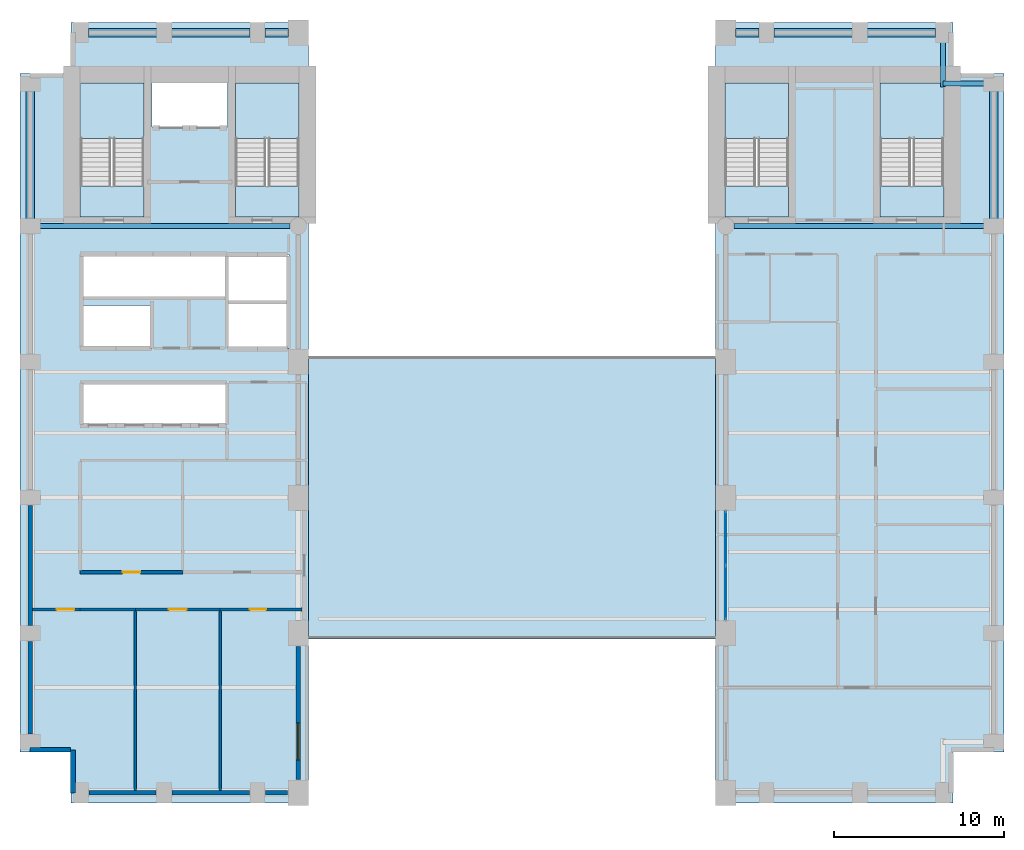
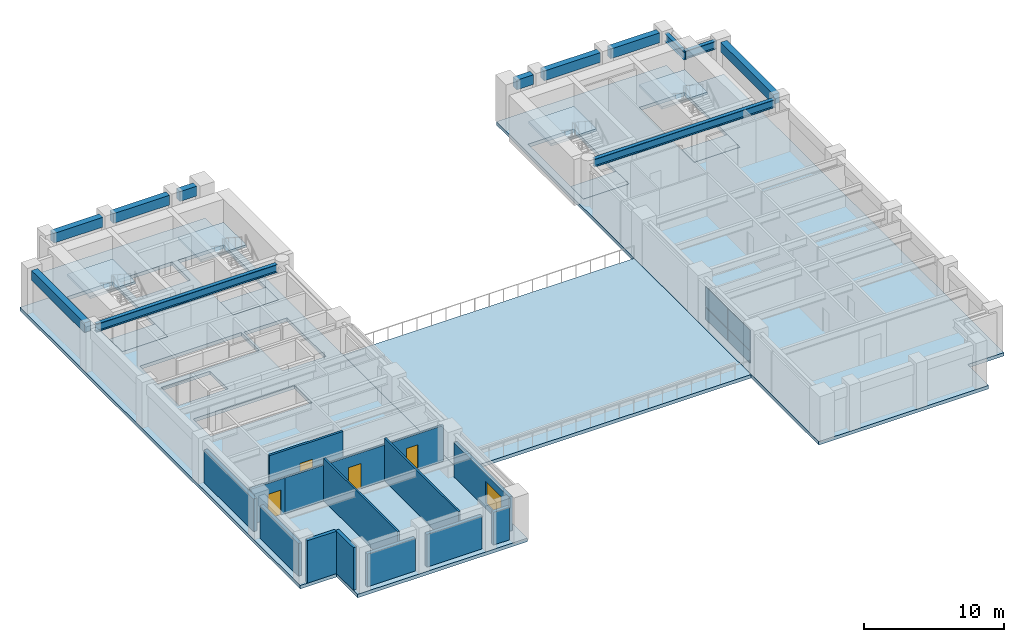
# One storey, part 3 of 10: 15 walls, 12 beams, 11 slabs, 4 doors, 4 plates, 1 window, 5 openings, 5 elements without a shape of their own.
"""IFC4 building model written with IfcOpenShell, lengths in metres."""

import ifcopenshell
import ifcopenshell.guid

model = None  # the IFC model being written
_history = None  # IfcOwnerHistory: only IFC2X3 demands one
_inside = {}  # id of a spatial element -> (the spatial element, [elements in it])
_under = {}  # id of a project, library or spatial element -> (it, [spatial elements below it])
_declared = {}  # id of a project -> (the project, [libraries it declares])
_typed = {}  # id of a type object -> (the type object, [elements of that type])
_made_of = {}  # id of a material, layer set ... -> (it, [elements and type objects made of it])


def new_model(schema):
    """Start an empty IFC model of exactly this schema.

    Asked for "IFC4X3", IfcOpenShell would pick the latest addendum, in which some entities
    have other attributes; the version numbers below select the first issue.
    IFC2X3 requires an IfcOwnerHistory on every rooted entity: one is made here for all.
    """
    global model, _history
    if schema == "IFC4X3":
        model = ifcopenshell.file(schema_version=(4, 3, 0, 0))
    else:
        model = ifcopenshell.file(schema=schema)
    _inside.clear()
    _under.clear()
    _declared.clear()
    _typed.clear()
    _made_of.clear()
    _history = None
    if model.schema == "IFC2X3":
        org = make("IfcOrganization", Name="unknown")
        user = make(
            "IfcPersonAndOrganization",
            ThePerson=make("IfcPerson", FamilyName="unknown"),
            TheOrganization=org,
        )
        app = make(
            "IfcApplication",
            ApplicationDeveloper=org,
            Version="unknown",
            ApplicationFullName="unknown",
            ApplicationIdentifier="unknown",
        )
        _history = make(
            "IfcOwnerHistory",
            OwningUser=user,
            OwningApplication=app,
            ChangeAction="ADDED",
            CreationDate=0,
        )
    return model


def make(cls, **values):
    """One entity of the class cls with the attributes given. An attribute that is None is left unset."""
    return model.create_entity(
        cls, **{name: value for name, value in values.items() if value is not None}
    )


def rooted(cls, **values):
    """An entity with a GlobalId (a new one), such as an element, a storey or a relation."""
    return make(cls, GlobalId=ifcopenshell.guid.new(), OwnerHistory=_history, **values)


def si_unit(unit_type, name, prefix=None):
    """IfcSIUnit, for example si_unit("LENGTHUNIT", "METRE", prefix="MILLI")."""
    return make("IfcSIUnit", UnitType=unit_type, Prefix=prefix, Name=name)


def assignment(units):
    """IfcUnitAssignment: the units of a project."""
    return None if units is None else make("IfcUnitAssignment", Units=units)


def point(xyz):
    """IfcCartesianPoint."""
    return None if xyz is None else make("IfcCartesianPoint", Coordinates=xyz)


def direction(xyz):
    """IfcDirection."""
    return None if xyz is None else make("IfcDirection", DirectionRatios=xyz)


def frame(location, z_axis=None, x_axis=None):
    """IfcAxis2Placement3D, a coordinate frame: its origin and axes. An axis left out is left unset."""
    return make(
        "IfcAxis2Placement3D",
        Location=point(location),
        Axis=direction(z_axis),
        RefDirection=direction(x_axis),
    )


def frame_2d(location, x_axis=None):
    """IfcAxis2Placement2D, a coordinate frame in the plane: its origin and x axis."""
    return make(
        "IfcAxis2Placement2D", Location=point(location), RefDirection=direction(x_axis)
    )


def origin():
    """The frame at (0, 0, 0) with its axes left unset."""
    return frame((0.0, 0.0, 0.0))


def origin_2d():
    """The frame at (0, 0) in the plane with its x axis left unset."""
    return frame_2d((0.0, 0.0))


def place(relative_to, where):
    """IfcLocalPlacement: puts the frame where relative to a parent placement (None: the world)."""
    return make(
        "IfcLocalPlacement", PlacementRelTo=relative_to, RelativePlacement=where
    )


def context(
    kind, dimensions, precision=None, world=None, true_north=None, identifier=None
):
    """IfcGeometricRepresentationContext, for example the 3D "Model" context."""
    return make(
        "IfcGeometricRepresentationContext",
        ContextIdentifier=identifier,
        ContextType=kind,
        CoordinateSpaceDimension=dimensions,
        Precision=precision,
        WorldCoordinateSystem=world,
        TrueNorth=true_north,
    )


def subcontext(parent, identifier, kind, view, scale=None):
    """IfcGeometricRepresentationSubContext, for example "Body" below "Model"."""
    return make(
        "IfcGeometricRepresentationSubContext",
        ContextIdentifier=identifier,
        ContextType=kind,
        ParentContext=parent,
        TargetScale=scale,
        TargetView=view,
    )


def project(units=None, contexts=None):
    """IfcProject with its units and contexts."""
    return rooted(
        "IfcProject",
        Name="project",
        RepresentationContexts=contexts,
        UnitsInContext=assignment(units),
    )


def spatial(cls, under=None, at=None, **own):
    """A site, building, storey or space (cls), placed at a placement, below another one or the project."""
    s = rooted(cls, ObjectPlacement=at, **own)
    if under is not None:
        _under.setdefault(under.id(), (under, []))[1].append(s)
    return s


def polyline(points):
    """IfcPolyline through the points."""
    return make("IfcPolyline", Points=[point(p) for p in points])


def profile(cls, at=None, kind="AREA", **sizes):
    """A parametric profile (cls). Its sizes go by their IFC names, for example OverallWidth=200.0."""
    return make(cls, ProfileType=kind, Position=at, **sizes)


def rectangle(**sizes):
    """IfcRectangleProfileDef."""
    return profile("IfcRectangleProfileDef", **sizes)


def i_section(**sizes):
    """IfcIShapeProfileDef."""
    return profile("IfcIShapeProfileDef", **sizes)


def outline(outer, holes=None, kind="AREA"):
    """IfcArbitraryClosedProfileDef: a profile drawn as a closed curve; with holes, ...WithVoids."""
    if holes is None:
        return make("IfcArbitraryClosedProfileDef", ProfileType=kind, OuterCurve=outer)
    return make(
        "IfcArbitraryProfileDefWithVoids",
        ProfileType=kind,
        OuterCurve=outer,
        InnerCurves=holes,
    )


def extrude(swept, where, along, depth):
    """IfcExtrudedAreaSolid: the profile swept, set in the frame where, extruded along a direction by depth."""
    return make(
        "IfcExtrudedAreaSolid",
        SweptArea=swept,
        Position=where,
        ExtrudedDirection=direction(along),
        Depth=depth,
    )


def shape(context_of_items, identifier, shape_type, items):
    """IfcShapeRepresentation: the items that make up one representation, for example the "Body"."""
    return make(
        "IfcShapeRepresentation",
        ContextOfItems=context_of_items,
        RepresentationIdentifier=identifier,
        RepresentationType=shape_type,
        Items=items,
    )


def material(Name=None, Category=None):
    """IfcMaterial."""
    return make("IfcMaterial", Name=Name, Category=Category)


def layer(
    of_material, thickness, ventilated=None, Name=None, Category=None, Priority=None
):
    """IfcMaterialLayer: one layer of a wall or slab, of a material (None: an air gap)."""
    return make(
        "IfcMaterialLayer",
        Material=of_material,
        LayerThickness=thickness,
        IsVentilated=ventilated,
        Name=Name,
        Category=Category,
        Priority=Priority,
    )


def layer_set(layers, Name=None):
    """IfcMaterialLayerSet."""
    return make("IfcMaterialLayerSet", MaterialLayers=layers, LayerSetName=Name)


def material_profile(
    of_material, cross_section, Name=None, Category=None, Priority=None
):
    """IfcMaterialProfile: a cross section and its material."""
    return make(
        "IfcMaterialProfile",
        Name=Name,
        Material=of_material,
        Profile=cross_section,
        Priority=Priority,
        Category=Category,
    )


def profile_set(profiles, Name=None, composite=None):
    """IfcMaterialProfileSet."""
    return make(
        "IfcMaterialProfileSet",
        Name=Name,
        MaterialProfiles=profiles,
        CompositeProfile=composite,
    )


def made_of(thing, what):
    """Note that an element or type object is made of a material, layer set ...; save() writes the relation."""
    if what is not None:
        _made_of.setdefault(what.id(), (what, []))[1].append(thing)
    return thing


def type_object(cls, material=None, **own):
    """A type object (cls), such as IfcWallType, which elements share."""
    return made_of(rooted(cls, **own), material)


def element(
    cls,
    number,
    at=None,
    inside=None,
    cuts=None,
    type_object=None,
    material=None,
    context=None,
    identifier="Body",
    shape_type=None,
    held_by="IfcProductDefinitionShape",
    body=None,
    shapes=None,
    **own,
):
    """One element of the class cls, such as IfcWall. Its Tag is "e" and its number.

    at: its placement. inside: the storey or other place that contains it. cuts: it is an
    opening in that element (IfcRelVoidsElement). A single representation is given by context,
    identifier, shape_type and body (its items); several are given by shapes. held_by: the class
    of the entity that holds the representations. save() writes the other relations.
    """
    e = rooted(cls, Tag="e%d" % number, ObjectPlacement=at, **own)
    if body is not None:
        shapes = [shape(context, identifier, shape_type, body)]
    if shapes is not None:
        e.Representation = make(held_by, Representations=shapes)
    if inside is not None:
        _inside.setdefault(inside.id(), (inside, []))[1].append(e)
    if cuts is not None:
        rooted(
            "IfcRelVoidsElement", RelatingBuildingElement=cuts, RelatedOpeningElement=e
        )
    if type_object is not None:
        _typed.setdefault(type_object.id(), (type_object, []))[1].append(e)
    return made_of(e, material)


def fill(opening, filler):
    """IfcRelFillsElement: the door or window that sits in an opening."""
    return rooted(
        "IfcRelFillsElement",
        RelatingOpeningElement=opening,
        RelatedBuildingElement=filler,
    )


def aggregate(whole, parts):
    """IfcRelAggregates: a whole, such as a stair, and the parts it consists of."""
    return rooted("IfcRelAggregates", RelatingObject=whole, RelatedObjects=parts)


def save(model, path):
    """Write the relations noted so far, then the file.

    IfcRelAggregates (storeys below a building ...), IfcRelContainedInSpatialStructure (elements
    in a storey), IfcRelDefinesByType, IfcRelAssociatesMaterial and IfcRelDeclares: one each for
    every whole, place, type object, material and project.
    """
    for whole, parts in _under.values():
        aggregate(whole, parts)
    for where, things in _inside.values():
        rooted(
            "IfcRelContainedInSpatialStructure",
            RelatedElements=things,
            RelatingStructure=where,
        )
    for kind, things in _typed.values():
        rooted("IfcRelDefinesByType", RelatedObjects=things, RelatingType=kind)
    for what, things in _made_of.values():
        rooted("IfcRelAssociatesMaterial", RelatedObjects=things, RelatingMaterial=what)
    for by, libraries in _declared.values():
        rooted("IfcRelDeclares", RelatingContext=by, RelatedDefinitions=libraries)
    model.write(path)


model = new_model("IFC4")

# Units and contexts
model_context = context("Model", 3, precision=1e-05, world=origin(), true_north=direction((0.0, 1.0)))
body_context = subcontext(model_context, "Body", "Model", "MODEL_VIEW")
ifc_project = project(units=[si_unit("LENGTHUNIT", "METRE"), si_unit("AREAUNIT", "SQUARE_METRE"), si_unit("VOLUMEUNIT", "CUBIC_METRE"), si_unit("PLANEANGLEUNIT", "RADIAN"), si_unit("MASSUNIT", "GRAM", prefix="KILO")], contexts=[model_context])

# Site, building, storey
site_placement = place(None, origin())
site = spatial("IfcSite", under=ifc_project, at=site_placement, CompositionType="ELEMENT")
building_placement = place(site_placement, origin())
building = spatial("IfcBuilding", under=site, at=building_placement, Name="Sulina Concourse Tower", CompositionType="ELEMENT")
storey_placement = place(building_placement, frame((0.0, 0.0, 30.60009765625)))
storey = spatial("IfcBuildingStorey", under=building, at=storey_placement, Name="L07", CompositionType="ELEMENT", Elevation=30.60009765625)

# Beams
ifc_material_1 = material(Name="Steel S355", Category="steel")
ifc_material_profile_1 = material_profile(ifc_material_1, i_section(OverallWidth=0.300048828125, OverallDepth=0.699951171875, WebThickness=0.01708984375, FlangeThickness=0.031982421875, at=origin_2d()), Name="HE 700 B")
ifc_profile_set_1 = profile_set([ifc_material_profile_1], Name="Steel S355")
beam_type_1 = type_object("IfcBeamType", Name="Floor Primary Girder Zone 1 HE700B", PredefinedType="BEAM", material=ifc_profile_set_1)
beam_1_placement = place(storey_placement, frame((54.39990234375, 42.39990234375, 3.349853515625), z_axis=(1.0, 0.0, 0.0), x_axis=(0.0, 1.0, 0.0)))
element("IfcBeam", 1, at=beam_1_placement, inside=storey, type_object=beam_type_1, Name="TIE-NE-L07", PredefinedType="BEAM", context=body_context, shape_type="SweptSolid", body=[
    extrude(i_section(OverallWidth=0.300048828125, OverallDepth=0.699951171875, WebThickness=0.01708984375, FlangeThickness=0.031982421875, at=origin_2d()), origin(), (0.0, 0.0, 1.0), 2.570068359375),
])
beam_2_placement = place(storey_placement, frame((54.39990234375, 42.199951171875, 3.349853515625), z_axis=(0.0, 1.0, 0.0), x_axis=(-1.0, 0.0, 0.0)))
element("IfcBeam", 2, at=beam_2_placement, inside=storey, type_object=beam_type_1, Name="TIE-NEN-L07", PredefinedType="BEAM", context=body_context, shape_type="SweptSolid", body=[
    extrude(i_section(OverallWidth=0.300048828125, OverallDepth=0.699951171875, WebThickness=0.01708984375, FlangeThickness=0.031982421875, at=origin_2d()), origin(), (0.0, 0.0, 1.0), 2.77001953125),
])
for number, where, z_axis, x_axis, name in (
    (3, (1.030029296875, 34.0, 3.349853515625), (1.0, 0.0, 0.0), (0.0, 1.0, 0.0), "FG-EWN1-L07"),
    (4, (42.080078125, 34.0, 3.349853515625), (1.0, 0.0, 0.0), (0.0, 1.0, 0.0), "FG-EWN3-L07"),
):
    element("IfcBeam", number, at=place(storey_placement, frame(where, z_axis=z_axis, x_axis=x_axis)), inside=storey, type_object=beam_type_1, Name=name, PredefinedType="BEAM", context=body_context, shape_type="SweptSolid", body=[
        extrude(i_section(OverallWidth=0.300048828125, OverallDepth=0.699951171875, WebThickness=0.01708984375, FlangeThickness=0.031982421875, at=origin_2d()), origin(), (0.0, 0.0, 1.0), 14.889892578125),
    ])
ifc_material_2 = material(Name="Precast concrete C50/60", Category="concrete")
ifc_material_profile_2 = material_profile(ifc_material_2, rectangle(XDim=0.5, YDim=0.85009765625, at=origin_2d()), Name="RC 500x850")
ifc_profile_set_2 = profile_set([ifc_material_profile_2], Name="Precast concrete C50/60")
beam_type_2 = type_object("IfcBeamType", Name="Lower Precast Spandrel Edge Beam 500x850", PredefinedType="BEAM", material=ifc_profile_set_2)
beam_3_placement = place(storey_placement, frame((4.030029296875, 45.39990234375, 3.27490234375), z_axis=(1.0, 0.0, 0.0), x_axis=(0.0, 1.0, 0.0)))
element("IfcBeam", 5, at=beam_3_placement, inside=storey, type_object=beam_type_2, Name="SP-N1-L07", PredefinedType="BEAM", context=body_context, shape_type="SweptSolid", body=[
    extrude(rectangle(XDim=0.5, YDim=0.85009765625, at=origin_2d()), origin(), (0.0, 0.0, 1.0), 4.0400390625),
])
beam_4_placement = place(storey_placement, frame((8.929931640625, 45.39990234375, 3.27490234375), z_axis=(1.0, 0.0, 0.0), x_axis=(0.0, 1.0, 0.0)))
element("IfcBeam", 6, at=beam_4_placement, inside=storey, type_object=beam_type_2, Name="SP-N2-L07", PredefinedType="BEAM", context=body_context, shape_type="SweptSolid", body=[
    extrude(rectangle(XDim=0.5, YDim=0.85009765625, at=origin_2d()), origin(), (0.0, 0.0, 1.0), 4.64013671875),
])
for number, where, z_axis, x_axis, name in (
    (7, (14.429931640625, 45.39990234375, 3.27490234375), (1.0, 0.0, 0.0), (0.0, 1.0, 0.0), "SP-N3-L07"),
    (8, (42.179931640625, 45.39990234375, 3.27490234375), (1.0, 0.0, 0.0), (0.0, 1.0, 0.0), "SP-N5-L07"),
):
    element("IfcBeam", number, at=place(storey_placement, frame(where, z_axis=z_axis, x_axis=x_axis)), inside=storey, type_object=beam_type_2, Name=name, PredefinedType="BEAM", context=body_context, shape_type="SweptSolid", body=[
        extrude(rectangle(XDim=0.5, YDim=0.85009765625, at=origin_2d()), origin(), (0.0, 0.0, 1.0), 1.39013671875),
    ])
beam_5_placement = place(storey_placement, frame((44.429931640625, 45.39990234375, 3.27490234375), z_axis=(1.0, 0.0, 0.0), x_axis=(0.0, 1.0, 0.0)))
element("IfcBeam", 9, at=beam_5_placement, inside=storey, type_object=beam_type_2, Name="SP-N6-L07", PredefinedType="BEAM", context=body_context, shape_type="SweptSolid", body=[
    extrude(rectangle(XDim=0.5, YDim=0.85009765625, at=origin_2d()), origin(), (0.0, 0.0, 1.0), 4.64013671875),
])
beam_6_placement = place(storey_placement, frame((49.929931640625, 45.39990234375, 3.27490234375), z_axis=(1.0, 0.0, 0.0), x_axis=(0.0, 1.0, 0.0)))
element("IfcBeam", 10, at=beam_6_placement, inside=storey, type_object=beam_type_2, Name="SP-N7-L07", PredefinedType="BEAM", context=body_context, shape_type="SweptSolid", body=[
    extrude(rectangle(XDim=0.5, YDim=0.85009765625, at=origin_2d()), origin(), (0.0, 0.0, 1.0), 4.0400390625),
])
for number, where, z_axis, x_axis, name in (
    (11, (0.60009765625, 34.429931640625, 3.27490234375), (0.0, 1.0, 0.0), (-1.0, 0.0, 0.0), "SP-W5-L07"),
    (12, (57.39990234375, 34.429931640625, 3.27490234375), (0.0, 1.0, 0.0), (-1.0, 0.0, 0.0), "SP-E5-L07"),
):
    element("IfcBeam", number, at=place(storey_placement, frame(where, z_axis=z_axis, x_axis=x_axis)), inside=storey, type_object=beam_type_2, Name=name, PredefinedType="BEAM", context=body_context, shape_type="SweptSolid", body=[
        extrude(rectangle(XDim=0.5, YDim=0.85009765625, at=origin_2d()), origin(), (0.0, 0.0, 1.0), 7.5400390625),
    ])

# Slabs
ifc_material_3 = material(Name="Concrete C50/60", Category="concrete")
ifc_layer_1 = layer(ifc_material_3, 0.300048828125)
ifc_layer_set_1 = layer_set([ifc_layer_1], Name="Concrete C50/60")
slab_type_1 = type_object("IfcSlabType", Name="Low-Rise Composite Floor Slab 300mm", PredefinedType="FLOOR", material=ifc_layer_set_1)
slab_1_placement = place(storey_placement, frame((0.0, 0.0, -0.300048828125)))
element("IfcSlab", 13, at=slab_1_placement, inside=storey, type_object=slab_type_1, Name="L07 structural floor slab-P1", PredefinedType="FLOOR", context=body_context, shape_type="SweptSolid", body=[
    extrude(outline(polyline([(3.0, 0.0), (17.0, 0.0), (17.0, 46.0), (3.0, 46.0), (3.0, 43.0), (0.0, 43.0), (0.0, 3.0), (3.0, 3.0), (3.0, 0.0)]), holes=[polyline([(7.31005859375, 34.550048828125), (7.31005859375, 42.429931640625), (3.550048828125, 42.429931640625), (3.550048828125, 34.550048828125), (7.31005859375, 34.550048828125)]), polyline([(16.449951171875, 34.550048828125), (16.449951171875, 42.429931640625), (12.68994140625, 42.429931640625), (12.68994140625, 34.550048828125), (16.449951171875, 34.550048828125)]), polyline([(7.780029296875, 39.830078125), (12.219970703125, 39.830078125), (12.219970703125, 42.449951171875), (7.780029296875, 42.449951171875), (7.780029296875, 39.830078125)]), polyline([(3.739990234375, 26.780029296875), (7.77001953125, 26.780029296875), (7.77001953125, 29.320068359375), (3.739990234375, 29.320068359375), (3.739990234375, 26.780029296875)]), polyline([(3.739990234375, 29.780029296875), (12.10009765625, 29.780029296875), (12.10009765625, 32.3701171875), (3.739990234375, 32.3701171875), (3.739990234375, 29.780029296875)]), polyline([(3.739990234375, 22.280029296875), (12.10009765625, 22.280029296875), (12.10009765625, 24.77001953125), (3.739990234375, 24.77001953125), (3.739990234375, 22.280029296875)]), polyline([(12.280029296875, 26.780029296875), (15.85009765625, 26.780029296875), (15.85009765625, 32.320068359375), (12.280029296875, 32.320068359375), (12.280029296875, 26.780029296875)])]), origin(), (0.0, 0.0, 1.0), 0.300048828125),
])
slab_2_placement = place(storey_placement, frame((0.0, 0.0, -0.300048828125)))
element("IfcSlab", 14, at=slab_2_placement, inside=storey, type_object=slab_type_1, Name="L07 structural floor slab-P2", PredefinedType="FLOOR", context=body_context, shape_type="SweptSolid", body=[
    extrude(outline(polyline([(41.0, 0.0), (55.0, 0.0), (55.0, 3.0), (58.0, 3.0), (58.0, 43.0), (55.0, 43.0), (55.0, 46.0), (41.0, 46.0), (41.0, 0.0)]), holes=[polyline([(45.31005859375, 34.550048828125), (45.31005859375, 42.429931640625), (41.550048828125, 42.429931640625), (41.550048828125, 34.550048828125), (45.31005859375, 34.550048828125)]), polyline([(54.449951171875, 34.550048828125), (54.449951171875, 42.429931640625), (50.68994140625, 42.429931640625), (50.68994140625, 34.550048828125), (54.449951171875, 34.550048828125)])]), origin(), (0.0, 0.0, 1.0), 0.300048828125),
])
ifc_material_4 = material(Name="Precast concrete C50/60", Category="concrete")
ifc_layer_2 = layer(ifc_material_4, 0.300048828125)
ifc_layer_set_2 = layer_set([ifc_layer_2], Name="Precast concrete C50/60")
slab_type_2 = type_object("IfcSlabType", Name="Lower Portal Flush Planted Terrace Slab 300mm", PredefinedType="FLOOR", material=ifc_layer_set_2)
slab_3_placement = place(storey_placement, frame((0.0, 0.0, -0.300048828125)))
element("IfcSlab", 15, at=slab_3_placement, inside=storey, type_object=slab_type_2, Name="L07 outdoor terrace slab TER-LP2", PredefinedType="FLOOR", context=body_context, shape_type="SweptSolid", body=[
    extrude(outline(polyline([(17.0, 9.64990234375), (41.0, 9.64990234375), (41.0, 26.35009765625), (17.0, 26.35009765625), (17.0, 9.64990234375)])), origin(), (0.0, 0.0, 1.0), 0.300048828125),
])

# Curtain wall, plates
ifc_material_5 = material(Name="Anodised bronze aluminium", Category="aluminium")
ifc_layer_3 = layer(ifc_material_5, 0.219970703125)
ifc_layer_set_3 = layer_set([ifc_layer_3], Name="Anodised bronze aluminium")
curtain_wall_type = type_object("IfcCurtainWallType", Name="Lower Terraced Portal Curtain Wall System", PredefinedType="NOTDEFINED", material=ifc_layer_set_3)
curtain_wall_placement = place(storey_placement, origin())
curtain_wall = element("IfcCurtainWall", 16, at=curtain_wall_placement, inside=storey, type_object=curtain_wall_type, Name="L07 glazed curtain wall PE2", PredefinedType="NOTDEFINED")
ifc_material_6 = material(Name="Low-E solar portal glazing", Category="glass")
ifc_layer_4 = layer(ifc_material_6, 0.031982421875)
ifc_layer_set_4 = layer_set([ifc_layer_4], Name="Low-E solar portal glazing")
plate_type = type_object("IfcPlateType", Name="Lower Terraced Portal Curtain Wall System Glazed Panel 32mm", PredefinedType="CURTAIN_PANEL", material=ifc_layer_set_4)
plate_1_placement = place(storey_placement, frame((41.60009765625, 12.402587890625, 0.06982421875), z_axis=(0.0, 0.0, 1.0), x_axis=(0.0, 1.0, 0.0)))
plate_1 = element("IfcPlate", 17, at=plate_1_placement, type_object=plate_type, Name="CW-02 panel 1.1", PredefinedType="CURTAIN_PANEL", context=body_context, shape_type="SweptSolid", body=[
    extrude(rectangle(XDim=3.125, YDim=0.031982421875, at=origin_2d()), origin(), (0.0, 0.0, 1.0), 1.034912109375),
])
plate_2_placement = place(storey_placement, frame((41.60009765625, 12.402587890625, 1.175048828125), z_axis=(0.0, 0.0, 1.0), x_axis=(0.0, 1.0, 0.0)))
plate_2 = element("IfcPlate", 18, at=plate_2_placement, type_object=plate_type, Name="CW-02 panel 1.2", PredefinedType="CURTAIN_PANEL", context=body_context, shape_type="SweptSolid", body=[
    extrude(rectangle(XDim=3.125, YDim=0.031982421875, at=origin_2d()), origin(), (0.0, 0.0, 1.0), 1.7548828125),
])
plate_3_placement = place(storey_placement, frame((41.60009765625, 15.597412109375, 0.06982421875), z_axis=(0.0, 0.0, 1.0), x_axis=(0.0, 1.0, 0.0)))
plate_3 = element("IfcPlate", 19, at=plate_3_placement, type_object=plate_type, Name="CW-02 panel 2.1", PredefinedType="CURTAIN_PANEL", context=body_context, shape_type="SweptSolid", body=[
    extrude(rectangle(XDim=3.125, YDim=0.031982421875, at=origin_2d()), origin(), (0.0, 0.0, 1.0), 1.034912109375),
])
plate_4_placement = place(storey_placement, frame((41.60009765625, 15.597412109375, 1.175048828125), z_axis=(0.0, 0.0, 1.0), x_axis=(0.0, 1.0, 0.0)))
plate_4 = element("IfcPlate", 20, at=plate_4_placement, type_object=plate_type, Name="CW-02 panel 2.2", PredefinedType="CURTAIN_PANEL", context=body_context, shape_type="SweptSolid", body=[
    extrude(rectangle(XDim=3.125, YDim=0.031982421875, at=origin_2d()), origin(), (0.0, 0.0, 1.0), 1.7548828125),
])
aggregate(curtain_wall, [plate_1, plate_2, plate_3, plate_4])

# Slabs
ifc_material_7 = material(Name="Concrete C50/60", Category="concrete")
ifc_layer_5 = layer(ifc_material_7, 0.199951171875)
ifc_layer_set_5 = layer_set([ifc_layer_5], Name="Concrete C50/60")
slab_type_3 = type_object("IfcSlabType", Name="Primary Core Stair Landing Slab 200mm", PredefinedType="LANDING", material=ifc_layer_set_5)
slab_4_placement = place(storey_placement, frame((0.0, 0.0, -0.2001953125)))
element("IfcSlab", 21, at=slab_4_placement, inside=storey, type_object=slab_type_3, Name="L07 ST-1 floor landing slab", PredefinedType="LANDING", context=body_context, shape_type="SweptSolid", body=[
    extrude(outline(polyline([(7.31005859375, 34.550048828125), (7.31005859375, 36.375), (3.550048828125, 36.375), (3.550048828125, 34.550048828125), (7.31005859375, 34.550048828125)])), origin(), (0.0, 0.0, 1.0), 0.2001953125),
])
slab_5_placement = place(storey_placement, frame((0.0, 0.0, -0.2001953125)))
element("IfcSlab", 22, at=slab_5_placement, inside=storey, type_object=slab_type_3, Name="L07 ST-2 floor landing slab", PredefinedType="LANDING", context=body_context, shape_type="SweptSolid", body=[
    extrude(outline(polyline([(16.449951171875, 34.550048828125), (16.449951171875, 36.375), (12.68994140625, 36.375), (12.68994140625, 34.550048828125), (16.449951171875, 34.550048828125)])), origin(), (0.0, 0.0, 1.0), 0.2001953125),
])
slab_6_placement = place(storey_placement, frame((0.0, 0.0, -0.2001953125)))
element("IfcSlab", 23, at=slab_6_placement, inside=storey, type_object=slab_type_3, Name="L07 ST-3 floor landing slab", PredefinedType="LANDING", context=body_context, shape_type="SweptSolid", body=[
    extrude(outline(polyline([(45.31005859375, 34.550048828125), (45.31005859375, 36.375), (41.550048828125, 36.375), (41.550048828125, 34.550048828125), (45.31005859375, 34.550048828125)])), origin(), (0.0, 0.0, 1.0), 0.2001953125),
])
slab_7_placement = place(storey_placement, frame((0.0, 0.0, -0.2001953125)))
element("IfcSlab", 24, at=slab_7_placement, inside=storey, type_object=slab_type_3, Name="L07 ST-4 floor landing slab", PredefinedType="LANDING", context=body_context, shape_type="SweptSolid", body=[
    extrude(outline(polyline([(54.449951171875, 34.550048828125), (54.449951171875, 36.375), (50.68994140625, 36.375), (50.68994140625, 34.550048828125), (54.449951171875, 34.550048828125)])), origin(), (0.0, 0.0, 1.0), 0.2001953125),
])

# Stair, slab
ifc_material_8 = material(Name="Concrete C50/60", Category="concrete")
stair_type_1 = type_object("IfcStairType", Name="Primary Core Dog-Leg Exit Stair 1800mm", PredefinedType="HALF_TURN_STAIR", material=ifc_material_8)
stair_1_placement = place(storey_placement, origin())
stair_1 = element("IfcStair", 25, at=stair_1_placement, inside=storey, type_object=stair_type_1, Name="L07 ST-1", PredefinedType="HALF_TURN_STAIR")
slab_8_placement = place(storey_placement, frame((0.0, 0.0, 1.7998046875)))
slab_8 = element("IfcSlab", 26, at=slab_8_placement, type_object=slab_type_3, Name="ST-1 landing 1", PredefinedType="LANDING", context=body_context, shape_type="SweptSolid", body=[
    extrude(outline(polyline([(7.304931640625, 39.175048828125), (7.304931640625, 42.425048828125), (3.554931640625, 42.425048828125), (3.554931640625, 39.175048828125), (7.304931640625, 39.175048828125)])), origin(), (0.0, 0.0, 1.0), 0.2001953125),
])
aggregate(stair_1, [slab_8])

stair_2_placement = place(storey_placement, origin())
stair_2 = element("IfcStair", 27, at=stair_2_placement, inside=storey, type_object=stair_type_1, Name="L07 ST-2", PredefinedType="HALF_TURN_STAIR")
slab_9_placement = place(storey_placement, frame((0.0, 0.0, 1.7998046875)))
slab_9 = element("IfcSlab", 28, at=slab_9_placement, type_object=slab_type_3, Name="ST-2 landing 1", PredefinedType="LANDING", context=body_context, shape_type="SweptSolid", body=[
    extrude(outline(polyline([(16.445068359375, 39.175048828125), (16.445068359375, 42.425048828125), (12.695068359375, 42.425048828125), (12.695068359375, 39.175048828125), (16.445068359375, 39.175048828125)])), origin(), (0.0, 0.0, 1.0), 0.2001953125),
])
aggregate(stair_2, [slab_9])

ifc_material_9 = material(Name="Concrete C50/60", Category="concrete")
stair_type_2 = type_object("IfcStairType", Name="Portal & Podium Core Exit Stair 1820mm", PredefinedType="HALF_TURN_STAIR", material=ifc_material_9)
stair_3_placement = place(storey_placement, origin())
stair_3 = element("IfcStair", 29, at=stair_3_placement, inside=storey, type_object=stair_type_2, Name="L07 ST-3", PredefinedType="HALF_TURN_STAIR")
slab_10_placement = place(storey_placement, frame((0.0, 0.0, 1.7998046875)))
slab_10 = element("IfcSlab", 30, at=slab_10_placement, type_object=slab_type_3, Name="ST-3 landing 1", PredefinedType="LANDING", context=body_context, shape_type="SweptSolid", body=[
    extrude(outline(polyline([(45.304931640625, 39.175048828125), (45.304931640625, 42.425048828125), (41.554931640625, 42.425048828125), (41.554931640625, 39.175048828125), (45.304931640625, 39.175048828125)])), origin(), (0.0, 0.0, 1.0), 0.2001953125),
])
aggregate(stair_3, [slab_10])

stair_4_placement = place(storey_placement, origin())
stair_4 = element("IfcStair", 31, at=stair_4_placement, inside=storey, type_object=stair_type_2, Name="L07 ST-4", PredefinedType="HALF_TURN_STAIR")
slab_11_placement = place(storey_placement, frame((0.0, 0.0, 1.7998046875)))
slab_11 = element("IfcSlab", 32, at=slab_11_placement, type_object=slab_type_3, Name="ST-4 landing 1", PredefinedType="LANDING", context=body_context, shape_type="SweptSolid", body=[
    extrude(outline(polyline([(54.445068359375, 39.175048828125), (54.445068359375, 42.425048828125), (50.695068359375, 42.425048828125), (50.695068359375, 39.175048828125), (54.445068359375, 39.175048828125)])), origin(), (0.0, 0.0, 1.0), 0.2001953125),
])
aggregate(stair_4, [slab_11])

# Walls
ifc_material_10 = material(Name="Gypsum board on steel stud", Category="steel")
ifc_layer_6 = layer(ifc_material_10, 0.14990234375)
ifc_layer_set_6 = layer_set([ifc_layer_6], Name="Gypsum board on steel stud")
wall_type_1 = type_object("IfcWallType", Name="Inter-Tenancy Acoustic Partition 150mm", PredefinedType="PARTITIONING", material=ifc_layer_set_6)
for number, where, z_axis, x_axis, name in (
    (33, (6.800048828125, 0.739990234375, 0.0), (0.0, 0.0, 1.0), (0.0, 1.0, 0.0), "L07 interior partition 030"),
    (34, (11.800048828125, 0.739990234375, 0.0), (0.0, 0.0, 1.0), (0.0, 1.0, 0.0), "L07 interior partition 033"),
):
    element("IfcWall", number, at=place(storey_placement, frame(where, z_axis=z_axis, x_axis=x_axis)), inside=storey, type_object=wall_type_1, Name=name, PredefinedType="PARTITIONING", context=body_context, shape_type="SweptSolid", body=[
        extrude(rectangle(XDim=10.570068359375, YDim=0.14990234375, at=frame_2d((5.28515625, 0.0))), origin(), (0.0, 0.0, 1.0), 3.699951171875),
    ])

# Wall, opening, door
ifc_material_11 = material(Name="Gypsum board on steel stud", Category="steel")
ifc_layer_7 = layer(ifc_material_11, 0.179931640625)
ifc_layer_set_7 = layer_set([ifc_layer_7], Name="Gypsum board on steel stud")
wall_type_2 = type_object("IfcWallType", Name="Protected Corridor & Riser Partition 180mm", PredefinedType="PARTITIONING", material=ifc_layer_set_7)
wall_1_placement = place(storey_placement, frame((0.739990234375, 11.39990234375, 0.0), z_axis=(0.0, 0.0, 1.0), x_axis=(1.0, 0.0, 0.0)))
wall_1 = element("IfcWall", 35, at=wall_1_placement, inside=storey, type_object=wall_type_2, Name="L07 interior partition 004", PredefinedType="PARTITIONING", context=body_context, shape_type="SweptSolid", body=[
    extrude(rectangle(XDim=2.81005859375, YDim=0.179931640625, at=frame_2d((1.405029296875, 0.0))), origin(), (0.0, 0.0, 1.0), 3.094970703125),
])
opening_1_placement = place(wall_1_placement, frame((1.419921875, 0.0, 0.0)))
opening_1 = element("IfcOpeningElement", 36, at=opening_1_placement, cuts=wall_1, Name="Opening DR-37", PredefinedType="OPENING", context=body_context, shape_type="SweptSolid", body=[
    extrude(rectangle(XDim=1.050048828125, YDim=2.14990234375, at=frame_2d((0.52490234375, 1.074951171875))), frame((0.0, 0.099853515625, 0.0), z_axis=(0.0, -1.0, 0.0), x_axis=(1.0, 0.0, 0.0)), (0.0, 0.0, 1.0), 0.199951171875),
])
ifc_material_12 = material(Name="Oak-veneered fire door leaf")
ifc_layer_8 = layer(ifc_material_12, 0.050048828125)
ifc_layer_set_8 = layer_set([ifc_layer_8], Name="Oak-veneered fire door leaf")
door_type_1 = type_object("IfcDoorType", Name="Tenant Suite Entrance Fire Door 1050x2150", OperationType="NOTDEFINED", PredefinedType="DOOR", material=ifc_layer_set_8)
door_1_placement = place(opening_1_placement, origin())
door_1 = element("IfcDoor", 37, at=door_1_placement, inside=storey, type_object=door_type_1, Name="L07 interior door L07-STD-W1", OperationType="SINGLE_SWING_RIGHT", OverallHeight=2.14990234375, OverallWidth=1.050048828125, PredefinedType="DOOR", context=body_context, shape_type="SweptSolid", body=[
    extrude(rectangle(XDim=1.050048828125, YDim=2.14990234375, at=frame_2d((0.52490234375, 1.074951171875))), frame((0.0, 0.02490234375, 0.0), z_axis=(0.0, -1.0, 0.0), x_axis=(1.0, 0.0, 0.0)), (0.0, 0.0, 1.0), 0.050048828125),
])
fill(opening_1, door_1)

# Wall
wall_2_placement = place(storey_placement, frame((3.550048828125, 11.39990234375, 0.0), z_axis=(0.0, 0.0, 1.0), x_axis=(1.0, 0.0, 0.0)))
element("IfcWall", 38, at=wall_2_placement, inside=storey, type_object=wall_type_2, Name="L07 interior partition 005", PredefinedType="PARTITIONING", context=body_context, shape_type="SweptSolid", body=[
    extrude(rectangle(XDim=3.25, YDim=0.179931640625, at=frame_2d((1.625, 0.0))), origin(), (0.0, 0.0, 1.0), 3.094970703125),
])

# Wall, opening, door
wall_3_placement = place(storey_placement, frame((6.800048828125, 11.39990234375, 0.0), z_axis=(0.0, 0.0, 1.0), x_axis=(1.0, 0.0, 0.0)))
wall_3 = element("IfcWall", 39, at=wall_3_placement, inside=storey, type_object=wall_type_2, Name="L07 interior partition 006", PredefinedType="PARTITIONING", context=body_context, shape_type="SweptSolid", body=[
    extrude(rectangle(XDim=5.0, YDim=0.179931640625, at=frame_2d((2.5, 0.0))), origin(), (0.0, 0.0, 1.0), 3.094970703125),
])
opening_2_placement = place(wall_3_placement, frame((1.97509765625, 0.0, 0.0)))
opening_2 = element("IfcOpeningElement", 40, at=opening_2_placement, cuts=wall_3, Name="Opening DR-37", PredefinedType="OPENING", context=body_context, shape_type="SweptSolid", body=[
    extrude(rectangle(XDim=1.050048828125, YDim=2.14990234375, at=frame_2d((0.52490234375, 1.074951171875))), frame((0.0, 0.099853515625, 0.0), z_axis=(0.0, -1.0, 0.0), x_axis=(1.0, 0.0, 0.0)), (0.0, 0.0, 1.0), 0.199951171875),
])
door_2_placement = place(opening_2_placement, origin())
door_2 = element("IfcDoor", 41, at=door_2_placement, inside=storey, type_object=door_type_1, Name="L07 interior door L07-CAF-W1", OperationType="SINGLE_SWING_LEFT", OverallHeight=2.14990234375, OverallWidth=1.050048828125, PredefinedType="DOOR", context=body_context, shape_type="SweptSolid", body=[
    extrude(rectangle(XDim=1.050048828125, YDim=2.14990234375, at=frame_2d((0.52490234375, 1.074951171875))), frame((0.0, 0.02490234375, 0.0), z_axis=(0.0, -1.0, 0.0), x_axis=(1.0, 0.0, 0.0)), (0.0, 0.0, 1.0), 0.050048828125),
])
fill(opening_2, door_2)

wall_4_placement = place(storey_placement, frame((11.800048828125, 11.39990234375, 0.0), z_axis=(0.0, 0.0, 1.0), x_axis=(1.0, 0.0, 0.0)))
wall_4 = element("IfcWall", 42, at=wall_4_placement, inside=storey, type_object=wall_type_2, Name="L07 interior partition 007", PredefinedType="PARTITIONING", context=body_context, shape_type="SweptSolid", body=[
    extrude(rectangle(XDim=4.81005859375, YDim=0.179931640625, at=frame_2d((2.405029296875, 0.0))), origin(), (0.0, 0.0, 1.0), 3.094970703125),
])
opening_3_placement = place(wall_4_placement, frame((1.75, 0.0, 0.0)))
opening_3 = element("IfcOpeningElement", 43, at=opening_3_placement, cuts=wall_4, Name="Opening DR-19", PredefinedType="OPENING", context=body_context, shape_type="SweptSolid", body=[
    extrude(rectangle(XDim=0.949951171875, YDim=2.14990234375, at=frame_2d((0.47509765625, 1.074951171875))), frame((0.0, 0.099853515625, 0.0), z_axis=(0.0, -1.0, 0.0), x_axis=(1.0, 0.0, 0.0)), (0.0, 0.0, 1.0), 0.199951171875),
])
ifc_material_13 = material(Name="Oak-veneered acoustic timber leaf", Category="wood")
ifc_layer_9 = layer(ifc_material_13, 0.050048828125)
ifc_layer_set_9 = layer_set([ifc_layer_9], Name="Oak-veneered acoustic timber leaf")
door_type_2 = type_object("IfcDoorType", Name="Cellular Office & Meeting Door 950x2150", OperationType="NOTDEFINED", PredefinedType="DOOR", material=ifc_layer_set_9)
door_3_placement = place(opening_3_placement, origin())
door_3 = element("IfcDoor", 44, at=door_3_placement, inside=storey, type_object=door_type_2, Name="L07 interior door L07-SEM-W1", OperationType="SINGLE_SWING_RIGHT", OverallHeight=2.14990234375, OverallWidth=0.949951171875, PredefinedType="DOOR", context=body_context, shape_type="SweptSolid", body=[
    extrude(rectangle(XDim=0.949951171875, YDim=2.14990234375, at=frame_2d((0.47509765625, 1.074951171875))), frame((0.0, 0.02490234375, 0.0), z_axis=(0.0, -1.0, 0.0), x_axis=(1.0, 0.0, 0.0)), (0.0, 0.0, 1.0), 0.050048828125),
])
fill(opening_3, door_3)

wall_5_placement = place(storey_placement, frame((3.550048828125, 13.60009765625, 0.0), z_axis=(0.0, 0.0, 1.0), x_axis=(1.0, 0.0, 0.0)))
wall_5 = element("IfcWall", 45, at=wall_5_placement, inside=storey, type_object=wall_type_2, Name="L07 interior partition 008", PredefinedType="PARTITIONING", context=body_context, shape_type="SweptSolid", body=[
    extrude(rectangle(XDim=6.050048828125, YDim=0.179931640625, at=frame_2d((3.02490234375, 0.0))), origin(), (0.0, 0.0, 1.0), 3.699951171875),
])
opening_4_placement = place(wall_5_placement, frame((2.5, 0.0, 0.0)))
opening_4 = element("IfcOpeningElement", 46, at=opening_4_placement, cuts=wall_5, Name="Opening DR-37", PredefinedType="OPENING", context=body_context, shape_type="SweptSolid", body=[
    extrude(rectangle(XDim=1.050048828125, YDim=2.14990234375, at=frame_2d((0.52490234375, 1.074951171875))), frame((0.0, 0.099853515625, 0.0), z_axis=(0.0, -1.0, 0.0), x_axis=(1.0, 0.0, 0.0)), (0.0, 0.0, 1.0), 0.199951171875),
])
door_4_placement = place(opening_4_placement, origin())
door_4 = element("IfcDoor", 47, at=door_4_placement, inside=storey, type_object=door_type_1, Name="L07 interior door L07-PNT-W1", OperationType="SINGLE_SWING_LEFT", OverallHeight=2.14990234375, OverallWidth=1.050048828125, PredefinedType="DOOR", context=body_context, shape_type="SweptSolid", body=[
    extrude(rectangle(XDim=1.050048828125, YDim=2.14990234375, at=frame_2d((0.52490234375, 1.074951171875))), frame((0.0, 0.02490234375, 0.0), z_axis=(0.0, -1.0, 0.0), x_axis=(1.0, 0.0, 0.0)), (0.0, 0.0, 1.0), 0.050048828125),
])
fill(opening_4, door_4)

# Walls
ifc_material_14 = material(Name="Precast concrete C50/60", Category="concrete")
ifc_layer_10 = layer(ifc_material_14, 0.280029296875)
ifc_layer_set_10 = layer_set([ifc_layer_10], Name="Precast concrete C50/60")
wall_type_3 = type_object("IfcWallType", Name="Typical Precast Masonry-Frame Facade Wall 280mm", PredefinedType="SOLIDWALL", material=ifc_layer_set_10)
wall_6_placement = place(storey_placement, frame((8.030029296875, 0.60009765625, 0.0), z_axis=(0.0, 0.0, 1.0), x_axis=(-1.0, 0.0, 0.0)))
element("IfcWall", 48, at=wall_6_placement, inside=storey, type_object=wall_type_3, Name="L07 exterior precast wall S1", PredefinedType="SOLIDWALL", context=body_context, shape_type="SweptSolid", body=[
    extrude(rectangle(XDim=3.9599609375, YDim=0.280029296875, at=frame_2d((1.97998046875, 0.0))), origin(), (0.0, 0.0, 1.0), 2.849853515625),
])
wall_7_placement = place(storey_placement, frame((13.530029296875, 0.60009765625, 0.0), z_axis=(0.0, 0.0, 1.0), x_axis=(-1.0, 0.0, 0.0)))
element("IfcWall", 49, at=wall_7_placement, inside=storey, type_object=wall_type_3, Name="L07 exterior precast wall S2", PredefinedType="SOLIDWALL", context=body_context, shape_type="SweptSolid", body=[
    extrude(rectangle(XDim=4.56005859375, YDim=0.280029296875, at=frame_2d((2.280029296875, 0.0))), origin(), (0.0, 0.0, 1.0), 2.849853515625),
])
wall_8_placement = place(storey_placement, frame((15.780029296875, 0.60009765625, 0.0), z_axis=(0.0, 0.0, 1.0), x_axis=(-1.0, 0.0, 0.0)))
element("IfcWall", 50, at=wall_8_placement, inside=storey, type_object=wall_type_3, Name="L07 exterior precast wall S3", PredefinedType="SOLIDWALL", context=body_context, shape_type="SweptSolid", body=[
    extrude(rectangle(XDim=1.31005859375, YDim=0.280029296875, at=frame_2d((0.655029296875, 0.0))), origin(), (0.0, 0.0, 1.0), 2.849853515625),
])
wall_9_placement = place(storey_placement, frame((0.60009765625, 4.070068359375, 0.0), z_axis=(0.0, 0.0, 1.0), x_axis=(0.0, 1.0, 0.0)))
element("IfcWall", 51, at=wall_9_placement, inside=storey, type_object=wall_type_3, Name="L07 exterior precast wall W1", PredefinedType="SOLIDWALL", context=body_context, shape_type="SweptSolid", body=[
    extrude(rectangle(XDim=5.4599609375, YDim=0.280029296875, at=frame_2d((2.72998046875, 0.0))), origin(), (0.0, 0.0, 1.0), 2.849853515625),
])
wall_10_placement = place(storey_placement, frame((0.60009765625, 10.469970703125, 0.0), z_axis=(0.0, 0.0, 1.0), x_axis=(0.0, 1.0, 0.0)))
element("IfcWall", 52, at=wall_10_placement, inside=storey, type_object=wall_type_3, Name="L07 exterior precast wall W2", PredefinedType="SOLIDWALL", context=body_context, shape_type="SweptSolid", body=[
    extrude(rectangle(XDim=7.06005859375, YDim=0.280029296875, at=frame_2d((3.530029296875, 0.0))), origin(), (0.0, 0.0, 1.0), 2.849853515625),
])
wall_11_placement = place(storey_placement, frame((3.1298828125, 0.60009765625, 0.0), z_axis=(0.0, 0.0, 1.0), x_axis=(0.0, 1.0, 0.0)))
element("IfcWall", 53, at=wall_11_placement, inside=storey, type_object=wall_type_3, Name="L07 exterior precast wall CSW1", PredefinedType="SOLIDWALL", context=body_context, shape_type="SweptSolid", body=[
    extrude(rectangle(XDim=2.52978515625, YDim=0.280029296875, at=frame_2d((1.264892578125, 0.0))), origin(), (0.0, 0.0, 1.0), 3.699951171875),
])
wall_12_placement = place(storey_placement, frame((2.985107421875, 3.1298828125, 0.0), z_axis=(0.0, 0.0, 1.0), x_axis=(-1.0, 0.0, 0.0)))
element("IfcWall", 54, at=wall_12_placement, inside=storey, type_object=wall_type_3, Name="L07 exterior precast wall CSW2", PredefinedType="SOLIDWALL", context=body_context, shape_type="SweptSolid", body=[
    extrude(rectangle(XDim=2.385009765625, YDim=0.280029296875, at=frame_2d((1.1923828125, 0.0))), origin(), (0.0, 0.0, 1.0), 3.699951171875),
])

# Wall, opening, window
wall_13_placement = place(storey_placement, frame((16.39990234375, 9.22998046875, 0.0), z_axis=(0.0, 0.0, 1.0), x_axis=(0.0, -1.0, 0.0)))
wall_13 = element("IfcWall", 55, at=wall_13_placement, inside=storey, type_object=wall_type_3, Name="L07 exterior precast wall PW1", PredefinedType="SOLIDWALL", context=body_context, shape_type="SweptSolid", body=[
    extrude(rectangle(XDim=7.85986328125, YDim=0.280029296875, at=frame_2d((3.929931640625, 0.0))), origin(), (0.0, 0.0, 1.0), 3.0),
])
opening_5_placement = place(wall_13_placement, frame((4.506591796875, 0.0, 0.419921875)))
opening_5 = element("IfcOpeningElement", 56, at=opening_5_placement, cuts=wall_13, Name="Opening WN-76", PredefinedType="OPENING", context=body_context, shape_type="SweptSolid", body=[
    extrude(rectangle(XDim=2.199951171875, YDim=1.949951171875, at=frame_2d((1.10009765625, 0.97509765625))), frame((0.0, 0.14990234375, 0.0), z_axis=(0.0, -1.0, 0.0), x_axis=(1.0, 0.0, 0.0)), (0.0, 0.0, 1.0), 0.300048828125),
])
ifc_material_15 = material(Name="Low-E solar double glazing in bronze aluminium", Category="aluminium")
window_type = type_object("IfcWindowType", Name="Recessed Spandrel Window 2200x1950", PartitioningType="DOUBLE_PANEL_VERTICAL", PredefinedType="WINDOW", material=ifc_material_15)
window_placement = place(opening_5_placement, origin())
window = element("IfcWindow", 57, at=window_placement, inside=storey, type_object=window_type, Name="L07 punched window PW1-1", OverallHeight=1.949951171875, OverallWidth=2.199951171875, PartitioningType="SINGLE_PANEL", PredefinedType="WINDOW", context=body_context, shape_type="SweptSolid", body=[
    extrude(rectangle(XDim=2.199951171875, YDim=1.949951171875, at=frame_2d((1.10009765625, 0.97509765625))), frame((0.0, 0.030029296875, 0.0), z_axis=(0.0, -1.0, 0.0), x_axis=(1.0, 0.0, 0.0)), (0.0, 0.0, 1.0), 0.06005859375),
])
fill(opening_5, window)

save(model, "model.ifc")
